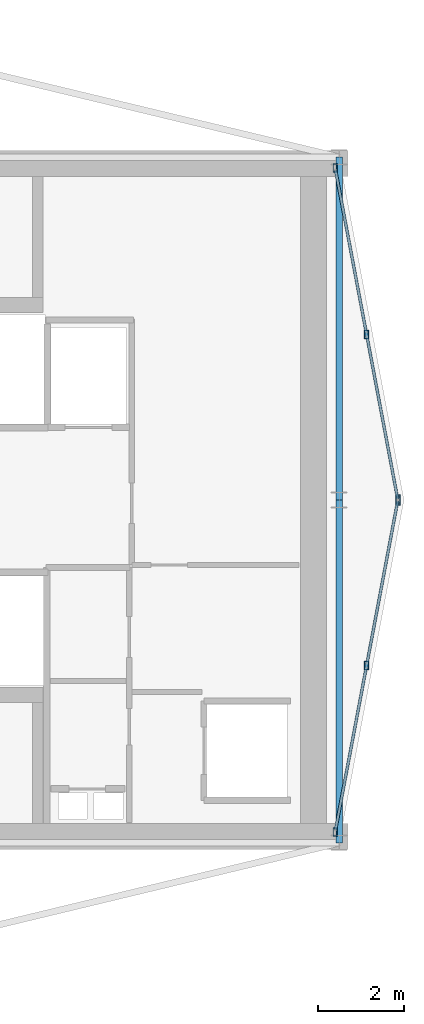
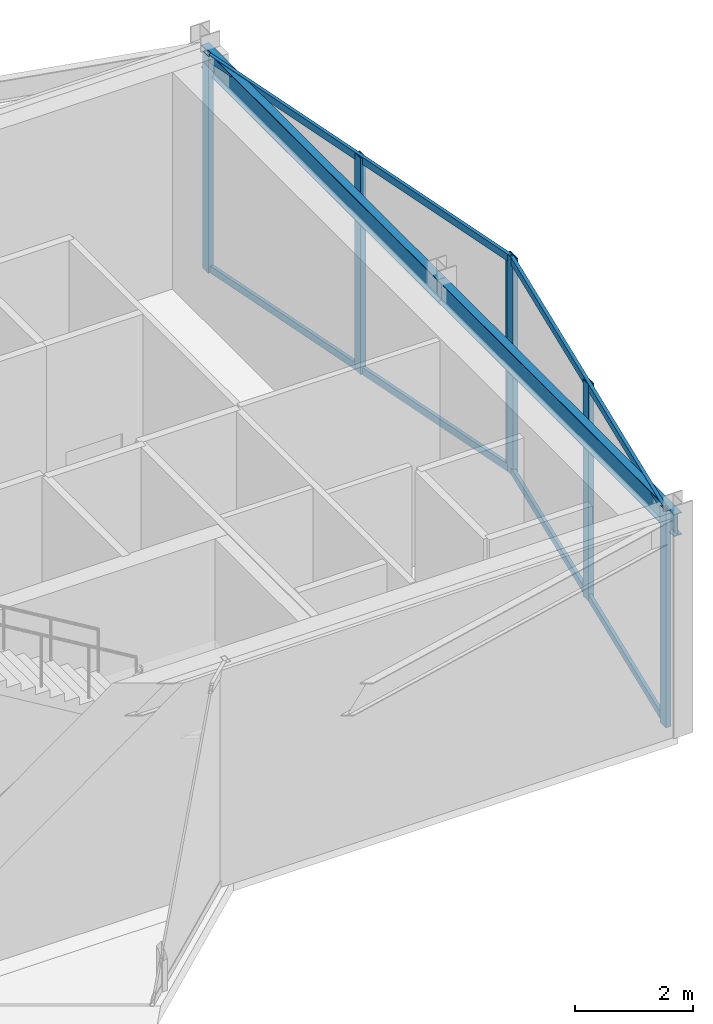
# One storey, part 6 of 11: 10 members, 2 beams, 2 elements without a shape of their own.
"""IFC4 building model written with IfcOpenShell, lengths in metres."""

import ifcopenshell
import ifcopenshell.guid

model = None  # the IFC model being written
_history = None  # IfcOwnerHistory: only IFC2X3 demands one
_inside = {}  # id of a spatial element -> (the spatial element, [elements in it])
_under = {}  # id of a project, library or spatial element -> (it, [spatial elements below it])
_declared = {}  # id of a project -> (the project, [libraries it declares])
_typed = {}  # id of a type object -> (the type object, [elements of that type])
_made_of = {}  # id of a material, layer set ... -> (it, [elements and type objects made of it])


def new_model(schema):
    """Start an empty IFC model of exactly this schema.

    Asked for "IFC4X3", IfcOpenShell would pick the latest addendum, in which some entities
    have other attributes; the version numbers below select the first issue.
    IFC2X3 requires an IfcOwnerHistory on every rooted entity: one is made here for all.
    """
    global model, _history
    if schema == "IFC4X3":
        model = ifcopenshell.file(schema_version=(4, 3, 0, 0))
    else:
        model = ifcopenshell.file(schema=schema)
    _inside.clear()
    _under.clear()
    _declared.clear()
    _typed.clear()
    _made_of.clear()
    _history = None
    if model.schema == "IFC2X3":
        org = make("IfcOrganization", Name="unknown")
        user = make(
            "IfcPersonAndOrganization",
            ThePerson=make("IfcPerson", FamilyName="unknown"),
            TheOrganization=org,
        )
        app = make(
            "IfcApplication",
            ApplicationDeveloper=org,
            Version="unknown",
            ApplicationFullName="unknown",
            ApplicationIdentifier="unknown",
        )
        _history = make(
            "IfcOwnerHistory",
            OwningUser=user,
            OwningApplication=app,
            ChangeAction="ADDED",
            CreationDate=0,
        )
    return model


def make(cls, **values):
    """One entity of the class cls with the attributes given. An attribute that is None is left unset."""
    return model.create_entity(
        cls, **{name: value for name, value in values.items() if value is not None}
    )


def rooted(cls, **values):
    """An entity with a GlobalId (a new one), such as an element, a storey or a relation."""
    return make(cls, GlobalId=ifcopenshell.guid.new(), OwnerHistory=_history, **values)


def si_unit(unit_type, name, prefix=None):
    """IfcSIUnit, for example si_unit("LENGTHUNIT", "METRE", prefix="MILLI")."""
    return make("IfcSIUnit", UnitType=unit_type, Prefix=prefix, Name=name)


def assignment(units):
    """IfcUnitAssignment: the units of a project."""
    return None if units is None else make("IfcUnitAssignment", Units=units)


def point(xyz):
    """IfcCartesianPoint."""
    return None if xyz is None else make("IfcCartesianPoint", Coordinates=xyz)


def direction(xyz):
    """IfcDirection."""
    return None if xyz is None else make("IfcDirection", DirectionRatios=xyz)


def frame(location, z_axis=None, x_axis=None):
    """IfcAxis2Placement3D, a coordinate frame: its origin and axes. An axis left out is left unset."""
    return make(
        "IfcAxis2Placement3D",
        Location=point(location),
        Axis=direction(z_axis),
        RefDirection=direction(x_axis),
    )


def frame_2d(location, x_axis=None):
    """IfcAxis2Placement2D, a coordinate frame in the plane: its origin and x axis."""
    return make(
        "IfcAxis2Placement2D", Location=point(location), RefDirection=direction(x_axis)
    )


def origin():
    """The frame at (0, 0, 0) with its axes left unset."""
    return frame((0.0, 0.0, 0.0))


def origin_2d():
    """The frame at (0, 0) in the plane with its x axis left unset."""
    return frame_2d((0.0, 0.0))


def place(relative_to, where):
    """IfcLocalPlacement: puts the frame where relative to a parent placement (None: the world)."""
    return make(
        "IfcLocalPlacement", PlacementRelTo=relative_to, RelativePlacement=where
    )


def context(
    kind, dimensions, precision=None, world=None, true_north=None, identifier=None
):
    """IfcGeometricRepresentationContext, for example the 3D "Model" context."""
    return make(
        "IfcGeometricRepresentationContext",
        ContextIdentifier=identifier,
        ContextType=kind,
        CoordinateSpaceDimension=dimensions,
        Precision=precision,
        WorldCoordinateSystem=world,
        TrueNorth=true_north,
    )


def subcontext(parent, identifier, kind, view, scale=None):
    """IfcGeometricRepresentationSubContext, for example "Body" below "Model"."""
    return make(
        "IfcGeometricRepresentationSubContext",
        ContextIdentifier=identifier,
        ContextType=kind,
        ParentContext=parent,
        TargetScale=scale,
        TargetView=view,
    )


def project(units=None, contexts=None):
    """IfcProject with its units and contexts."""
    return rooted(
        "IfcProject",
        Name="project",
        RepresentationContexts=contexts,
        UnitsInContext=assignment(units),
    )


def spatial(cls, under=None, at=None, **own):
    """A site, building, storey or space (cls), placed at a placement, below another one or the project."""
    s = rooted(cls, ObjectPlacement=at, **own)
    if under is not None:
        _under.setdefault(under.id(), (under, []))[1].append(s)
    return s


def profile(cls, at=None, kind="AREA", **sizes):
    """A parametric profile (cls). Its sizes go by their IFC names, for example OverallWidth=200.0."""
    return make(cls, ProfileType=kind, Position=at, **sizes)


def hollow_rectangle(**sizes):
    """IfcRectangleHollowProfileDef."""
    return profile("IfcRectangleHollowProfileDef", **sizes)


def i_section(**sizes):
    """IfcIShapeProfileDef."""
    return profile("IfcIShapeProfileDef", **sizes)


def extrude(swept, where, along, depth):
    """IfcExtrudedAreaSolid: the profile swept, set in the frame where, extruded along a direction by depth."""
    return make(
        "IfcExtrudedAreaSolid",
        SweptArea=swept,
        Position=where,
        ExtrudedDirection=direction(along),
        Depth=depth,
    )


def shape(context_of_items, identifier, shape_type, items):
    """IfcShapeRepresentation: the items that make up one representation, for example the "Body"."""
    return make(
        "IfcShapeRepresentation",
        ContextOfItems=context_of_items,
        RepresentationIdentifier=identifier,
        RepresentationType=shape_type,
        Items=items,
    )


def material(Name=None, Category=None):
    """IfcMaterial."""
    return make("IfcMaterial", Name=Name, Category=Category)


def layer(
    of_material, thickness, ventilated=None, Name=None, Category=None, Priority=None
):
    """IfcMaterialLayer: one layer of a wall or slab, of a material (None: an air gap)."""
    return make(
        "IfcMaterialLayer",
        Material=of_material,
        LayerThickness=thickness,
        IsVentilated=ventilated,
        Name=Name,
        Category=Category,
        Priority=Priority,
    )


def layer_set(layers, Name=None):
    """IfcMaterialLayerSet."""
    return make("IfcMaterialLayerSet", MaterialLayers=layers, LayerSetName=Name)


def material_profile(
    of_material, cross_section, Name=None, Category=None, Priority=None
):
    """IfcMaterialProfile: a cross section and its material."""
    return make(
        "IfcMaterialProfile",
        Name=Name,
        Material=of_material,
        Profile=cross_section,
        Priority=Priority,
        Category=Category,
    )


def profile_set(profiles, Name=None, composite=None):
    """IfcMaterialProfileSet."""
    return make(
        "IfcMaterialProfileSet",
        Name=Name,
        MaterialProfiles=profiles,
        CompositeProfile=composite,
    )


def made_of(thing, what):
    """Note that an element or type object is made of a material, layer set ...; save() writes the relation."""
    if what is not None:
        _made_of.setdefault(what.id(), (what, []))[1].append(thing)
    return thing


def type_object(cls, material=None, **own):
    """A type object (cls), such as IfcWallType, which elements share."""
    return made_of(rooted(cls, **own), material)


def element(
    cls,
    number,
    at=None,
    inside=None,
    cuts=None,
    type_object=None,
    material=None,
    context=None,
    identifier="Body",
    shape_type=None,
    held_by="IfcProductDefinitionShape",
    body=None,
    shapes=None,
    **own,
):
    """One element of the class cls, such as IfcWall. Its Tag is "e" and its number.

    at: its placement. inside: the storey or other place that contains it. cuts: it is an
    opening in that element (IfcRelVoidsElement). A single representation is given by context,
    identifier, shape_type and body (its items); several are given by shapes. held_by: the class
    of the entity that holds the representations. save() writes the other relations.
    """
    e = rooted(cls, Tag="e%d" % number, ObjectPlacement=at, **own)
    if body is not None:
        shapes = [shape(context, identifier, shape_type, body)]
    if shapes is not None:
        e.Representation = make(held_by, Representations=shapes)
    if inside is not None:
        _inside.setdefault(inside.id(), (inside, []))[1].append(e)
    if cuts is not None:
        rooted(
            "IfcRelVoidsElement", RelatingBuildingElement=cuts, RelatedOpeningElement=e
        )
    if type_object is not None:
        _typed.setdefault(type_object.id(), (type_object, []))[1].append(e)
    return made_of(e, material)


def aggregate(whole, parts):
    """IfcRelAggregates: a whole, such as a stair, and the parts it consists of."""
    return rooted("IfcRelAggregates", RelatingObject=whole, RelatedObjects=parts)


def save(model, path):
    """Write the relations noted so far, then the file.

    IfcRelAggregates (storeys below a building ...), IfcRelContainedInSpatialStructure (elements
    in a storey), IfcRelDefinesByType, IfcRelAssociatesMaterial and IfcRelDeclares: one each for
    every whole, place, type object, material and project.
    """
    for whole, parts in _under.values():
        aggregate(whole, parts)
    for where, things in _inside.values():
        rooted(
            "IfcRelContainedInSpatialStructure",
            RelatedElements=things,
            RelatingStructure=where,
        )
    for kind, things in _typed.values():
        rooted("IfcRelDefinesByType", RelatedObjects=things, RelatingType=kind)
    for what, things in _made_of.values():
        rooted("IfcRelAssociatesMaterial", RelatedObjects=things, RelatingMaterial=what)
    for by, libraries in _declared.values():
        rooted("IfcRelDeclares", RelatingContext=by, RelatedDefinitions=libraries)
    model.write(path)


model = new_model("IFC4")

# Units and contexts
model_context = context("Model", 3, precision=1e-05, world=origin(), true_north=direction((0.0, 1.0)))
body_context = subcontext(model_context, "Body", "Model", "MODEL_VIEW")
ifc_project = project(units=[si_unit("LENGTHUNIT", "METRE"), si_unit("AREAUNIT", "SQUARE_METRE"), si_unit("VOLUMEUNIT", "CUBIC_METRE"), si_unit("PLANEANGLEUNIT", "RADIAN"), si_unit("MASSUNIT", "GRAM", prefix="KILO")], contexts=[model_context])

# Site, building, storey
site_placement = place(None, origin())
site = spatial("IfcSite", under=ifc_project, at=site_placement, CompositionType="ELEMENT")
building_placement = place(site_placement, origin())
building = spatial("IfcBuilding", under=site, at=building_placement, Name="Veymaron Broadcast Tower", CompositionType="ELEMENT")
storey_placement = place(building_placement, frame((0.0, 0.0, 327.60009765625)))
storey = spatial("IfcBuildingStorey", under=building, at=storey_placement, Name="L77", CompositionType="ELEMENT", Elevation=327.60009765625)

# Beams
ifc_material_1 = material(Name="Structural steel ASTM A992 Gr 50", Category="steel")
ifc_material_profile_1 = material_profile(ifc_material_1, i_section(OverallWidth=0.154052734375, OverallDepth=0.458984375, WebThickness=0.009033203125, FlangeThickness=0.015380859375, at=origin_2d()), Name="W460X68")
ifc_profile_set_1 = profile_set([ifc_material_profile_1], Name="Structural steel ASTM A992 Gr 50")
beam_type = type_object("IfcBeamType", Name="BM-SP2", PredefinedType="SPANDREL", material=ifc_profile_set_1)
for number, where, z_axis, x_axis, name in (
    (1, (54.60009765625, 16.0, 4.25048828125), (0.0, 1.0, 0.0), (-1.0, 0.0, 0.0), "L77 primary structural floor girder"),
    (2, (54.60009765625, 24.0, 4.25048828125), (0.0, 1.0, 0.0), (-1.0, 0.0, 0.0), "L77 primary structural floor girder"),
):
    element("IfcBeam", number, at=place(storey_placement, frame(where, z_axis=z_axis, x_axis=x_axis)), inside=storey, type_object=beam_type, Name=name, PredefinedType="SPANDREL", context=body_context, shape_type="SweptSolid", body=[
        extrude(i_section(OverallWidth=0.154052734375, OverallDepth=0.458984375, WebThickness=0.009033203125, FlangeThickness=0.015380859375, at=origin_2d()), origin(), (0.0, 0.0, 1.0), 8.0),
    ])

# Curtain wall, members
ifc_material_2 = material(Name="Anodised aluminium AA 6063-T6 and laminated low-E dark glass", Category="aluminium")
ifc_layer = layer(ifc_material_2, 0.179931640625)
ifc_layer_set = layer_set([ifc_layer], Name="Anodised aluminium AA 6063-T6 and laminated low-E dark glass")
curtain_wall_type = type_object("IfcCurtainWallType", Name="CW-SYS-07", PredefinedType="NOTDEFINED", material=ifc_layer_set)
curtain_wall_1_placement = place(storey_placement, origin())
curtain_wall_1 = element("IfcCurtainWall", 3, at=curtain_wall_1_placement, inside=storey, type_object=curtain_wall_type, Name="L77 dark-glass curtain wall CW-L77-E2-1", PredefinedType="NOTDEFINED")
ifc_material_3 = material(Name="Anodised aluminium AA 6063-T6", Category="aluminium")
ifc_material_profile_2 = material_profile(ifc_material_3, hollow_rectangle(XDim=0.10009765625, YDim=0.199951171875, WallThickness=0.010009765625, at=origin_2d()), Name="RHS200X100X10")
ifc_profile_set_2 = profile_set([ifc_material_profile_2], Name="Anodised aluminium AA 6063-T6")
member_type_1 = type_object("IfcMemberType", Name="CW-MUL-01", PredefinedType="MULLION", material=ifc_profile_set_2)
member_1_placement = place(storey_placement, frame((54.505859375, 16.25537109375, 0.0), z_axis=(0.0, 0.0, 1.0), x_axis=(1.0, 0.0, 0.0)))
member_1 = element("IfcMember", 4, at=member_1_placement, type_object=member_type_1, Name="CW-L77-E2-1 mullion 0", PredefinedType="MULLION", context=body_context, shape_type="SweptSolid", body=[
    extrude(hollow_rectangle(XDim=0.10009765625, YDim=0.199951171875, WallThickness=0.010009765625, at=origin_2d()), origin(), (0.0, 0.0, 1.0), 4.47998046875),
])
member_2_placement = place(storey_placement, frame((55.239990234375, 20.140625, 0.0), z_axis=(0.0, 0.0, 1.0), x_axis=(1.0, 0.0, 0.0)))
member_2 = element("IfcMember", 5, at=member_2_placement, type_object=member_type_1, Name="CW-L77-E2-1 mullion 1", PredefinedType="MULLION", context=body_context, shape_type="SweptSolid", body=[
    extrude(hollow_rectangle(XDim=0.10009765625, YDim=0.199951171875, WallThickness=0.010009765625, at=origin_2d()), origin(), (0.0, 0.0, 1.0), 4.47998046875),
])
member_3_placement = place(storey_placement, frame((55.974365234375, 24.02587890625, 0.0), z_axis=(0.0, 0.0, 1.0), x_axis=(1.0, 0.0, 0.0)))
member_3 = element("IfcMember", 6, at=member_3_placement, type_object=member_type_1, Name="CW-L77-E2-1 mullion 2", PredefinedType="MULLION", context=body_context, shape_type="SweptSolid", body=[
    extrude(hollow_rectangle(XDim=0.10009765625, YDim=0.199951171875, WallThickness=0.010009765625, at=origin_2d()), origin(), (0.0, 0.0, 1.0), 4.47998046875),
])

curtain_wall_2_placement = place(storey_placement, origin())
curtain_wall_2 = element("IfcCurtainWall", 7, at=curtain_wall_2_placement, inside=storey, type_object=curtain_wall_type, Name="L77 dark-glass curtain wall CW-L77-E3-1", PredefinedType="NOTDEFINED")
member_4_placement = place(storey_placement, frame((55.974365234375, 23.97412109375, 0.0), z_axis=(0.0, 0.0, 1.0), x_axis=(1.0, 0.0, 0.0)))
member_4 = element("IfcMember", 8, at=member_4_placement, type_object=member_type_1, Name="CW-L77-E3-1 mullion 0", PredefinedType="MULLION", context=body_context, shape_type="SweptSolid", body=[
    extrude(hollow_rectangle(XDim=0.10009765625, YDim=0.199951171875, WallThickness=0.010009765625, at=origin_2d()), origin(), (0.0, 0.0, 1.0), 4.47998046875),
])
member_5_placement = place(storey_placement, frame((55.239990234375, 27.859375, 0.0), z_axis=(0.0, 0.0, 1.0), x_axis=(1.0, 0.0, 0.0)))
member_5 = element("IfcMember", 9, at=member_5_placement, type_object=member_type_1, Name="CW-L77-E3-1 mullion 1", PredefinedType="MULLION", context=body_context, shape_type="SweptSolid", body=[
    extrude(hollow_rectangle(XDim=0.10009765625, YDim=0.199951171875, WallThickness=0.010009765625, at=origin_2d()), origin(), (0.0, 0.0, 1.0), 4.47998046875),
])
member_6_placement = place(storey_placement, frame((54.505859375, 31.74462890625, 0.0), z_axis=(0.0, 0.0, 1.0), x_axis=(1.0, 0.0, 0.0)))
member_6 = element("IfcMember", 10, at=member_6_placement, type_object=member_type_1, Name="CW-L77-E3-1 mullion 2", PredefinedType="MULLION", context=body_context, shape_type="SweptSolid", body=[
    extrude(hollow_rectangle(XDim=0.10009765625, YDim=0.199951171875, WallThickness=0.010009765625, at=origin_2d()), origin(), (0.0, 0.0, 1.0), 4.47998046875),
])

# Member
ifc_material_profile_3 = material_profile(ifc_material_3, hollow_rectangle(XDim=0.06494140625, YDim=0.14990234375, WallThickness=0.00390625, at=origin_2d()), Name="AL150X65X4")
ifc_profile_set_3 = profile_set([ifc_material_profile_3], Name="Anodised aluminium AA 6063-T6")
member_type_2 = type_object("IfcMemberType", Name="CW-TRN-01", PredefinedType="USERDEFINED", material=ifc_profile_set_3)
member_7_placement = place(storey_placement, frame((54.51513671875, 16.304443359375, 0.06982421875), z_axis=(0.185696673612, 0.982607116507, 0.0), x_axis=(-0.982607116507, 0.185696673612, 0.0)))
member_7 = element("IfcMember", 11, at=member_7_placement, type_object=member_type_2, Name="CW-L77-E2-1 transom B", ObjectType="TRANSOM", PredefinedType="USERDEFINED", context=body_context, shape_type="SweptSolid", body=[
    extrude(hollow_rectangle(XDim=0.06494140625, YDim=0.14990234375, WallThickness=0.00390625, at=origin_2d()), origin(), (0.0, 0.0, 1.0), 7.80810546875),
])

member_8_placement = place(storey_placement, frame((54.51513671875, 16.304443359375, 4.409912109375), z_axis=(0.185696673612, 0.982607116507, 0.0), x_axis=(-0.982607116507, 0.185696673612, 0.0)))
member_8 = element("IfcMember", 12, at=member_8_placement, type_object=member_type_2, Name="CW-L77-E2-1 transom T", ObjectType="TRANSOM", PredefinedType="USERDEFINED", context=body_context, shape_type="SweptSolid", body=[
    extrude(hollow_rectangle(XDim=0.06494140625, YDim=0.14990234375, WallThickness=0.00390625, at=origin_2d()), origin(), (0.0, 0.0, 1.0), 7.80810546875),
])

aggregate(curtain_wall_1, [member_1, member_2, member_3, member_7, member_8])

member_9_placement = place(storey_placement, frame((55.965087890625, 24.023193359375, 0.06982421875), z_axis=(-0.185696673612, 0.982607116507, 0.0), x_axis=(-0.982607116507, -0.185696673612, 0.0)))
member_9 = element("IfcMember", 13, at=member_9_placement, type_object=member_type_2, Name="CW-L77-E3-1 transom B", ObjectType="TRANSOM", PredefinedType="USERDEFINED", context=body_context, shape_type="SweptSolid", body=[
    extrude(hollow_rectangle(XDim=0.06494140625, YDim=0.14990234375, WallThickness=0.00390625, at=origin_2d()), origin(), (0.0, 0.0, 1.0), 7.80810546875),
])

member_10_placement = place(storey_placement, frame((55.965087890625, 24.023193359375, 4.409912109375), z_axis=(-0.185696673612, 0.982607116507, 0.0), x_axis=(-0.982607116507, -0.185696673612, 0.0)))
member_10 = element("IfcMember", 14, at=member_10_placement, type_object=member_type_2, Name="CW-L77-E3-1 transom T", ObjectType="TRANSOM", PredefinedType="USERDEFINED", context=body_context, shape_type="SweptSolid", body=[
    extrude(hollow_rectangle(XDim=0.06494140625, YDim=0.14990234375, WallThickness=0.00390625, at=origin_2d()), origin(), (0.0, 0.0, 1.0), 7.80810546875),
])

aggregate(curtain_wall_2, [member_4, member_5, member_6, member_9, member_10])

save(model, "model.ifc")
